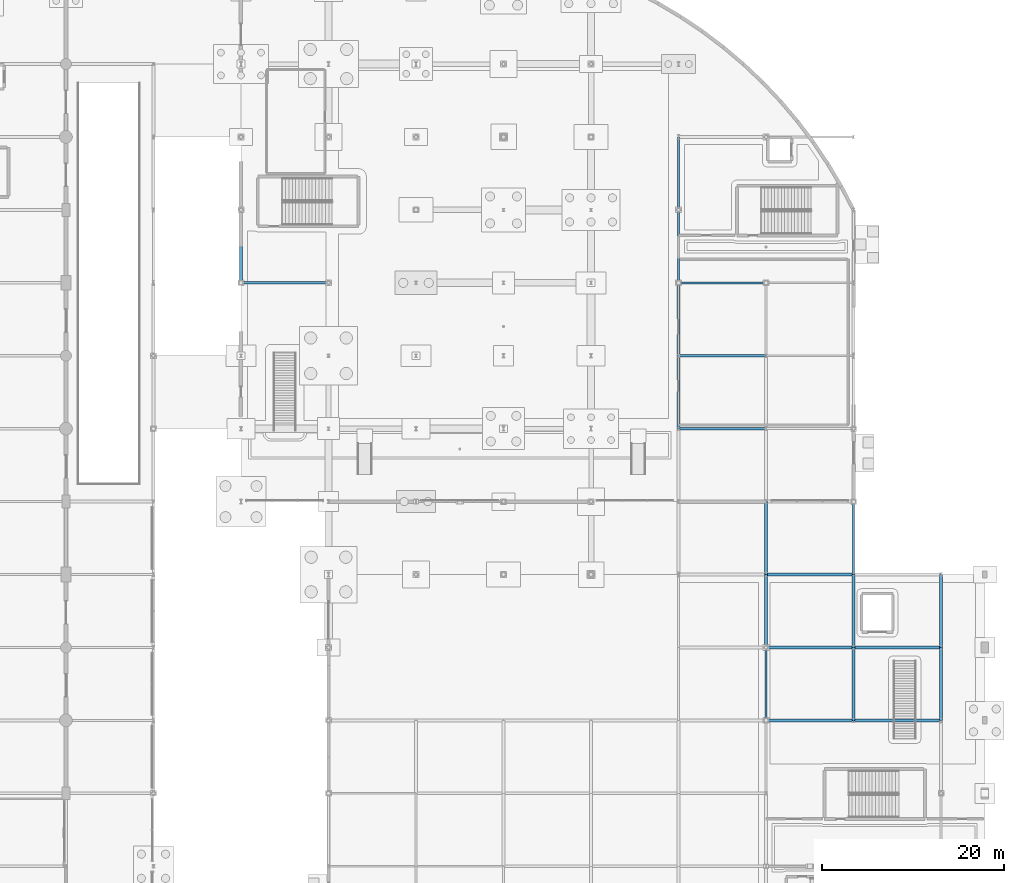
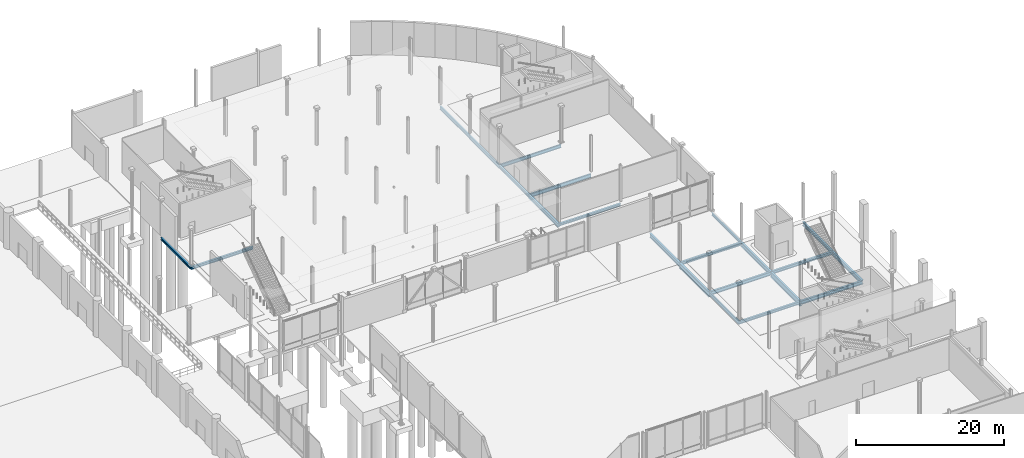
# One storey, part 63 of 124: 22 beams.
"""IFC4 building model written with IfcOpenShell, lengths in metres."""

from ifc_helpers import new_model, si_unit, direction, frame, origin, origin_2d, place, context, subcontext, project, spatial, i_section, extrude, material, material_profile, profile_set, type_object, element, save


model = new_model("IFC4")

# Units and contexts
model_context = context("Model", 3, precision=1e-05, world=origin(), true_north=direction((0.0, 1.0)))
body_context = subcontext(model_context, "Body", "Model", "MODEL_VIEW")
ifc_project = project(units=[si_unit("LENGTHUNIT", "METRE"), si_unit("AREAUNIT", "SQUARE_METRE"), si_unit("VOLUMEUNIT", "CUBIC_METRE"), si_unit("PLANEANGLEUNIT", "RADIAN"), si_unit("MASSUNIT", "GRAM", prefix="KILO")], contexts=[model_context])

# Site, building, storey
site_placement = place(None, origin())
site = spatial("IfcSite", under=ifc_project, at=site_placement, CompositionType="ELEMENT")
building_placement = place(site_placement, origin())
building = spatial("IfcBuilding", under=site, at=building_placement, Name="Danafjord Basin Convention Centre", CompositionType="ELEMENT")
storey_placement = place(building_placement, origin())
storey = spatial("IfcBuildingStorey", under=building, at=storey_placement, Name="L00", CompositionType="ELEMENT", Elevation=0.0)

# Beams
ifc_material = material(Name="Steel S355", Category="steel")
ifc_material_profile_1 = material_profile(ifc_material, i_section(OverallWidth=0.300048828125, OverallDepth=0.389892578125, WebThickness=0.010986328125, FlangeThickness=0.01904296875, FilletRadius=0.027099609375, at=origin_2d()), Name="HEA 400")
ifc_profile_set_1 = profile_set([ifc_material_profile_1], Name="Steel S355")
beam_type_1 = type_object("IfcBeamType", Name="BEAM-BM-HEA400", PredefinedType="BEAM", material=ifc_profile_set_1)
beam_1_placement = place(storey_placement, frame((182.39990234375, 96.0, -0.534912109375), z_axis=(1.0, 0.0, 0.0), x_axis=(0.0, 1.0, 0.0)))
element("IfcBeam", 1, at=beam_1_placement, inside=storey, type_object=beam_type_1, Name="L00 girder BM-HEA400", PredefinedType="BEAM", context=body_context, shape_type="SweptSolid", body=[
    extrude(i_section(OverallWidth=0.300048828125, OverallDepth=0.389892578125, WebThickness=0.010986328125, FlangeThickness=0.01904296875, FilletRadius=0.027099609375, at=origin_2d()), origin(), (0.0, 0.0, 1.0), 9.60009765625),
])
ifc_material_profile_2 = material_profile(ifc_material, i_section(OverallWidth=0.300048828125, OverallDepth=0.489990234375, WebThickness=0.011962890625, FlangeThickness=0.02294921875, FilletRadius=0.027099609375, at=origin_2d()), Name="HEA 500")
ifc_profile_set_2 = profile_set([ifc_material_profile_2], Name="Steel S355")
beam_type_2 = type_object("IfcBeamType", Name="BEAM-BM-HEA500", PredefinedType="BEAM", material=ifc_profile_set_2)
beam_2_placement = place(storey_placement, frame((192.0, 80.0, -0.60498046875), z_axis=(1.0, 0.0, 0.0), x_axis=(0.0, 1.0, 0.0)))
element("IfcBeam", 2, at=beam_2_placement, inside=storey, type_object=beam_type_2, Name="L00 girder BM-HEA500", PredefinedType="BEAM", context=body_context, shape_type="SweptSolid", body=[
    extrude(i_section(OverallWidth=0.300048828125, OverallDepth=0.489990234375, WebThickness=0.011962890625, FlangeThickness=0.02294921875, FilletRadius=0.027099609375, at=origin_2d()), origin(), (0.0, 0.0, 1.0), 9.60009765625),
])
beam_3_placement = place(storey_placement, frame((201.60009765625, 72.0, -0.60498046875), z_axis=(1.0, 0.0, 0.0), x_axis=(0.0, 1.0, 0.0)))
element("IfcBeam", 3, at=beam_3_placement, inside=storey, type_object=beam_type_2, Name="L00 girder BM-HEA500", PredefinedType="BEAM", context=body_context, shape_type="SweptSolid", body=[
    extrude(i_section(OverallWidth=0.300048828125, OverallDepth=0.489990234375, WebThickness=0.011962890625, FlangeThickness=0.02294921875, FilletRadius=0.027099609375, at=origin_2d()), origin(), (0.0, 0.0, 1.0), 9.599853515625),
])
ifc_material_profile_3 = material_profile(ifc_material, i_section(OverallWidth=0.300048828125, OverallDepth=0.590087890625, WebThickness=0.012939453125, FlangeThickness=0.02490234375, FilletRadius=0.027099609375, at=origin_2d()), Name="HEA 600")
ifc_profile_set_3 = profile_set([ifc_material_profile_3], Name="Steel S355")
beam_type_3 = type_object("IfcBeamType", Name="BEAM-BM-HEA600", PredefinedType="BEAM", material=ifc_profile_set_3)
beam_4_placement = place(storey_placement, frame((192.0, 72.0, -0.655029296875), z_axis=(1.0, 0.0, 0.0), x_axis=(0.0, 1.0, 0.0)))
element("IfcBeam", 4, at=beam_4_placement, inside=storey, type_object=beam_type_3, Name="L00 girder BM-HEA600", PredefinedType="BEAM", context=body_context, shape_type="SweptSolid", body=[
    extrude(i_section(OverallWidth=0.300048828125, OverallDepth=0.590087890625, WebThickness=0.012939453125, FlangeThickness=0.02490234375, FilletRadius=0.027099609375, at=origin_2d()), origin(), (0.0, 0.0, 1.0), 9.60009765625),
])
beam_5_placement = place(storey_placement, frame((201.60009765625, 64.0, -0.655029296875), z_axis=(1.0, 0.0, 0.0), x_axis=(0.0, 1.0, 0.0)))
element("IfcBeam", 5, at=beam_5_placement, inside=storey, type_object=beam_type_3, Name="L00 girder BM-HEA600", PredefinedType="BEAM", context=body_context, shape_type="SweptSolid", body=[
    extrude(i_section(OverallWidth=0.300048828125, OverallDepth=0.590087890625, WebThickness=0.012939453125, FlangeThickness=0.02490234375, FilletRadius=0.027099609375, at=origin_2d()), origin(), (0.0, 0.0, 1.0), 9.599853515625),
])
ifc_material_profile_4 = material_profile(ifc_material, i_section(OverallWidth=0.300048828125, OverallDepth=0.449951171875, WebThickness=0.013916015625, FlangeThickness=0.02587890625, FilletRadius=0.027099609375, at=origin_2d()), Name="HEB 450")
ifc_profile_set_4 = profile_set([ifc_material_profile_4], Name="Steel S355")
beam_type_4 = type_object("IfcBeamType", Name="BEAM-BM-HEB450", PredefinedType="BEAM", material=ifc_profile_set_4)
for number, where, z_axis, x_axis, name in (
    (6, (134.39990234375, 112.0, -0.56494140625), (1.0, 0.0, 0.0), (0.0, 1.0, 0.0), "L00 girder BM-HEB450"),
    (7, (192.0, 64.0, -0.5849609375), (1.0, 0.0, 0.0), (0.0, 1.0, 0.0), "L00 girder BM-HEB450"),
):
    element("IfcBeam", number, at=place(storey_placement, frame(where, z_axis=z_axis, x_axis=x_axis)), inside=storey, type_object=beam_type_4, Name=name, PredefinedType="BEAM", context=body_context, shape_type="SweptSolid", body=[
        extrude(i_section(OverallWidth=0.300048828125, OverallDepth=0.449951171875, WebThickness=0.013916015625, FlangeThickness=0.02587890625, FilletRadius=0.027099609375, at=origin_2d()), origin(), (0.0, 0.0, 1.0), 9.60009765625),
    ])
ifc_material_profile_5 = material_profile(ifc_material, i_section(OverallWidth=0.300048828125, OverallDepth=0.5, WebThickness=0.014404296875, FlangeThickness=0.028076171875, FilletRadius=0.027099609375, at=origin_2d()), Name="HEB 500")
ifc_profile_set_5 = profile_set([ifc_material_profile_5], Name="Steel S355")
beam_type_5 = type_object("IfcBeamType", Name="BEAM-BM-HEB500", PredefinedType="BEAM", material=ifc_profile_set_5)
beam_6_placement = place(storey_placement, frame((182.39990234375, 104.0, -0.590087890625), z_axis=(0.0, 1.0, 0.0), x_axis=(-1.0, 0.0, 0.0)))
element("IfcBeam", 8, at=beam_6_placement, inside=storey, type_object=beam_type_5, Name="L00 transverse girder BM-HEB500", PredefinedType="BEAM", context=body_context, shape_type="SweptSolid", body=[
    extrude(i_section(OverallWidth=0.300048828125, OverallDepth=0.5, WebThickness=0.014404296875, FlangeThickness=0.028076171875, FilletRadius=0.027099609375, at=origin_2d()), origin(), (0.0, 0.0, 1.0), 8.0),
])
ifc_material_profile_6 = material_profile(ifc_material, i_section(OverallWidth=0.300048828125, OverallDepth=0.60009765625, WebThickness=0.015380859375, FlangeThickness=0.030029296875, FilletRadius=0.027099609375, at=origin_2d()), Name="HEB 600")
ifc_profile_set_6 = profile_set([ifc_material_profile_6], Name="Steel S355")
beam_type_6 = type_object("IfcBeamType", Name="BEAM-BM-HEB600", PredefinedType="BEAM", material=ifc_profile_set_6)
for number, where, z_axis, x_axis, name in (
    (9, (182.39990234375, 96.0, -0.639892578125), (0.0, 1.0, 0.0), (-1.0, 0.0, 0.0), "L00 transverse girder BM-HEB600"),
    (10, (211.199951171875, 72.0, -0.659912109375), (0.0, 1.0, 0.0), (-1.0, 0.0, 0.0), "L00 transverse girder BM-HEB600"),
):
    element("IfcBeam", number, at=place(storey_placement, frame(where, z_axis=z_axis, x_axis=x_axis)), inside=storey, type_object=beam_type_6, Name=name, PredefinedType="BEAM", context=body_context, shape_type="SweptSolid", body=[
        extrude(i_section(OverallWidth=0.300048828125, OverallDepth=0.60009765625, WebThickness=0.015380859375, FlangeThickness=0.030029296875, FilletRadius=0.027099609375, at=origin_2d()), origin(), (0.0, 0.0, 1.0), 8.0),
    ])
ifc_material_profile_7 = material_profile(ifc_material, i_section(OverallWidth=0.300048828125, OverallDepth=0.699951171875, WebThickness=0.01708984375, FlangeThickness=0.031982421875, FilletRadius=0.027099609375, at=origin_2d()), Name="HEB 700")
ifc_profile_set_7 = profile_set([ifc_material_profile_7], Name="Steel S355")
beam_type_7 = type_object("IfcBeamType", Name="BEAM-BM-HEB700", PredefinedType="BEAM", material=ifc_profile_set_7)
for number, where, z_axis, x_axis, name in (
    (11, (192.0, 80.0, -0.7099609375), (0.0, 1.0, 0.0), (-1.0, 0.0, 0.0), "L00 transverse girder BM-HEB700"),
    (12, (201.60009765625, 72.0, -0.7099609375), (0.0, 1.0, 0.0), (-1.0, 0.0, 0.0), "L00 transverse girder BM-HEB700"),
    (13, (211.199951171875, 64.0, -0.7099609375), (0.0, 1.0, 0.0), (-1.0, 0.0, 0.0), "L00 transverse girder BM-HEB700"),
):
    element("IfcBeam", number, at=place(storey_placement, frame(where, z_axis=z_axis, x_axis=x_axis)), inside=storey, type_object=beam_type_7, Name=name, PredefinedType="BEAM", context=body_context, shape_type="SweptSolid", body=[
        extrude(i_section(OverallWidth=0.300048828125, OverallDepth=0.699951171875, WebThickness=0.01708984375, FlangeThickness=0.031982421875, FilletRadius=0.027099609375, at=origin_2d()), origin(), (0.0, 0.0, 1.0), 8.0),
    ])
ifc_material_profile_8 = material_profile(ifc_material, i_section(OverallWidth=0.300048828125, OverallDepth=0.89990234375, WebThickness=0.0185546875, FlangeThickness=0.034912109375, FilletRadius=0.030029296875, at=origin_2d()), Name="HEB 900")
ifc_profile_set_8 = profile_set([ifc_material_profile_8], Name="Steel S355")
beam_type_8 = type_object("IfcBeamType", Name="BEAM-BM-HEB900", PredefinedType="BEAM", material=ifc_profile_set_8)
for number, where, z_axis, x_axis, name in (
    (14, (192.0, 72.0, -0.81005859375), (0.0, 1.0, 0.0), (-1.0, 0.0, 0.0), "L00 transverse girder BM-HEB900"),
    (15, (201.60009765625, 64.0, -0.81005859375), (0.0, 1.0, 0.0), (-1.0, 0.0, 0.0), "L00 transverse girder BM-HEB900"),
):
    element("IfcBeam", number, at=place(storey_placement, frame(where, z_axis=z_axis, x_axis=x_axis)), inside=storey, type_object=beam_type_8, Name=name, PredefinedType="BEAM", context=body_context, shape_type="SweptSolid", body=[
        extrude(i_section(OverallWidth=0.300048828125, OverallDepth=0.89990234375, WebThickness=0.0185546875, FlangeThickness=0.034912109375, FilletRadius=0.030029296875, at=origin_2d()), origin(), (0.0, 0.0, 1.0), 8.0),
    ])
ifc_material_profile_9 = material_profile(ifc_material, i_section(OverallWidth=0.2099609375, OverallDepth=0.550048828125, WebThickness=0.010986328125, FlangeThickness=0.01708984375, FilletRadius=0.02392578125, at=origin_2d()), Name="IPE 550")
ifc_profile_set_9 = profile_set([ifc_material_profile_9], Name="Steel S355")
beam_type_9 = type_object("IfcBeamType", Name="BEAM-BM-IPE550", PredefinedType="BEAM", material=ifc_profile_set_9)
beam_7_placement = place(storey_placement, frame((182.39990234375, 112.0, -0.614990234375), z_axis=(1.0, 0.0, 0.0), x_axis=(0.0, 1.0, 0.0)))
element("IfcBeam", 16, at=beam_7_placement, inside=storey, type_object=beam_type_9, Name="L00 girder BM-IPE550", PredefinedType="BEAM", context=body_context, shape_type="SweptSolid", body=[
    extrude(i_section(OverallWidth=0.2099609375, OverallDepth=0.550048828125, WebThickness=0.010986328125, FlangeThickness=0.01708984375, FilletRadius=0.02392578125, at=origin_2d()), origin(), (0.0, 0.0, 1.0), 9.60009765625),
])
for number, where, z_axis, x_axis, name in (
    (17, (182.39990234375, 120.0, -0.614990234375), (0.0, 1.0, 0.0), (-1.0, 0.0, 0.0), "L00 transverse girder BM-IPE550"),
    (18, (192.0, 64.0, -0.635009765625), (0.0, 1.0, 0.0), (-1.0, 0.0, 0.0), "L00 transverse girder BM-IPE550"),
):
    element("IfcBeam", number, at=place(storey_placement, frame(where, z_axis=z_axis, x_axis=x_axis)), inside=storey, type_object=beam_type_9, Name=name, PredefinedType="BEAM", context=body_context, shape_type="SweptSolid", body=[
        extrude(i_section(OverallWidth=0.2099609375, OverallDepth=0.550048828125, WebThickness=0.010986328125, FlangeThickness=0.01708984375, FilletRadius=0.02392578125, at=origin_2d()), origin(), (0.0, 0.0, 1.0), 8.0),
    ])
ifc_material_profile_10 = material_profile(ifc_material, i_section(OverallWidth=0.219970703125, OverallDepth=0.60009765625, WebThickness=0.011962890625, FlangeThickness=0.01904296875, FilletRadius=0.02392578125, at=origin_2d()), Name="IPE 600")
ifc_profile_set_10 = profile_set([ifc_material_profile_10], Name="Steel S355")
beam_type_10 = type_object("IfcBeamType", Name="BEAM-BM-IPE600", PredefinedType="BEAM", material=ifc_profile_set_10)
beam_8_placement = place(storey_placement, frame((182.39990234375, 104.0, -0.639892578125), z_axis=(1.0, 0.0, 0.0), x_axis=(0.0, 1.0, 0.0)))
element("IfcBeam", 19, at=beam_8_placement, inside=storey, type_object=beam_type_10, Name="L00 girder BM-IPE600", PredefinedType="BEAM", context=body_context, shape_type="SweptSolid", body=[
    extrude(i_section(OverallWidth=0.219970703125, OverallDepth=0.60009765625, WebThickness=0.011962890625, FlangeThickness=0.01904296875, FilletRadius=0.02392578125, at=origin_2d()), origin(), (0.0, 0.0, 1.0), 9.60009765625),
])
beam_9_placement = place(storey_placement, frame((182.39990234375, 112.0, -0.639892578125), z_axis=(0.0, 1.0, 0.0), x_axis=(-1.0, 0.0, 0.0)))
element("IfcBeam", 20, at=beam_9_placement, inside=storey, type_object=beam_type_10, Name="L00 transverse girder BM-IPE600", PredefinedType="BEAM", context=body_context, shape_type="SweptSolid", body=[
    extrude(i_section(OverallWidth=0.219970703125, OverallDepth=0.60009765625, WebThickness=0.011962890625, FlangeThickness=0.01904296875, FilletRadius=0.02392578125, at=origin_2d()), origin(), (0.0, 0.0, 1.0), 8.0),
])
ifc_material_profile_11 = material_profile(ifc_material, i_section(OverallWidth=0.300048828125, OverallDepth=0.39990234375, WebThickness=0.013427734375, FlangeThickness=0.02392578125, FilletRadius=0.027099609375, at=origin_2d()), Name="HEB 400")
ifc_profile_set_11 = profile_set([ifc_material_profile_11], Name="Steel S355")
beam_type_11 = type_object("IfcBeamType", Name="BEAM-SP-HEB400", PredefinedType="SPANDREL", material=ifc_profile_set_11)
beam_10_placement = place(storey_placement, frame((134.39990234375, 112.0, -0.5400390625), z_axis=(0.0, 1.0, 0.0), x_axis=(-1.0, 0.0, 0.0)))
element("IfcBeam", 21, at=beam_10_placement, inside=storey, type_object=beam_type_11, Name="L00 transverse girder SP-HEB400", PredefinedType="SPANDREL", context=body_context, shape_type="SweptSolid", body=[
    extrude(i_section(OverallWidth=0.300048828125, OverallDepth=0.39990234375, WebThickness=0.013427734375, FlangeThickness=0.02392578125, FilletRadius=0.027099609375, at=origin_2d()), origin(), (0.0, 0.0, 1.0), 8.0),
])
ifc_material_profile_12 = material_profile(ifc_material, i_section(OverallWidth=0.18994140625, OverallDepth=0.449951171875, WebThickness=0.009521484375, FlangeThickness=0.0146484375, FilletRadius=0.02099609375, at=origin_2d()), Name="IPE 450")
ifc_profile_set_12 = profile_set([ifc_material_profile_12], Name="Steel S355")
beam_type_12 = type_object("IfcBeamType", Name="BEAM-SP-IPE450", PredefinedType="SPANDREL", material=ifc_profile_set_12)
beam_11_placement = place(storey_placement, frame((201.60009765625, 80.0, -0.5849609375), z_axis=(0.0, 1.0, 0.0), x_axis=(-1.0, 0.0, 0.0)))
element("IfcBeam", 22, at=beam_11_placement, inside=storey, type_object=beam_type_12, Name="L00 transverse girder SP-IPE450", PredefinedType="SPANDREL", context=body_context, shape_type="SweptSolid", body=[
    extrude(i_section(OverallWidth=0.18994140625, OverallDepth=0.449951171875, WebThickness=0.009521484375, FlangeThickness=0.0146484375, FilletRadius=0.02099609375, at=origin_2d()), origin(), (0.0, 0.0, 1.0), 8.0),
])

save(model, "model.ifc")
